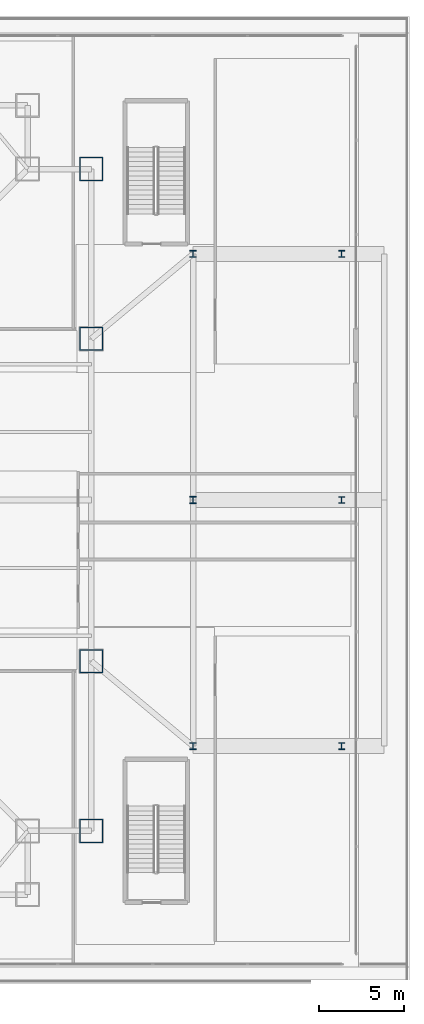
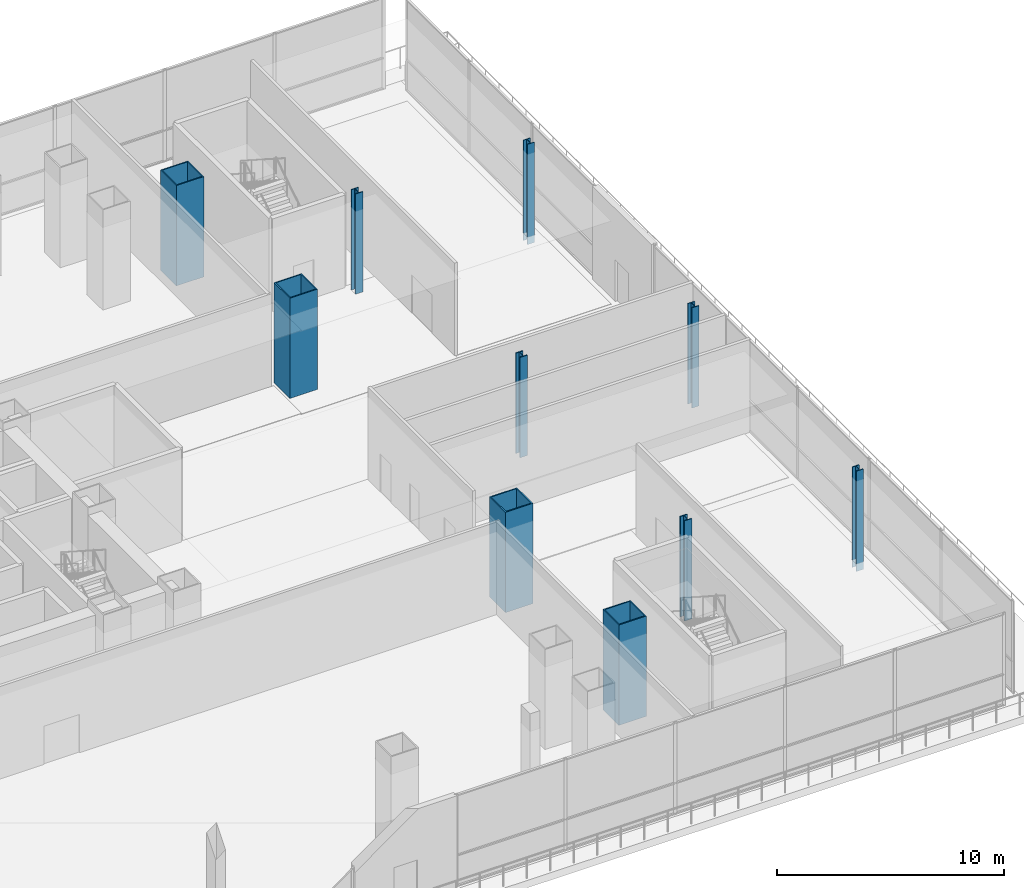
# One storey, part 3 of 36: 10 columns.
"""IFC4 building model written with IfcOpenShell, lengths in metres."""

from ifc_helpers import new_model, si_unit, direction, frame, origin, origin_2d, place, context, subcontext, project, spatial, hollow_rectangle, i_section, extrude, material, material_profile, profile_set, type_object, element, save


model = new_model("IFC4")

# Units and contexts
model_context = context("Model", 3, precision=1e-05, world=origin(), true_north=direction((0.0, 1.0)))
body_context = subcontext(model_context, "Body", "Model", "MODEL_VIEW")
ifc_project = project(units=[si_unit("LENGTHUNIT", "METRE"), si_unit("AREAUNIT", "SQUARE_METRE"), si_unit("VOLUMEUNIT", "CUBIC_METRE"), si_unit("PLANEANGLEUNIT", "RADIAN"), si_unit("MASSUNIT", "GRAM", prefix="KILO")], contexts=[model_context])

# Site, building, storey
site_placement = place(None, origin())
site = spatial("IfcSite", under=ifc_project, at=site_placement, CompositionType="ELEMENT")
building_placement = place(site_placement, origin())
building = spatial("IfcBuilding", under=site, at=building_placement, Name="Trevonay Congress Spire", CompositionType="ELEMENT")
storey_placement = place(building_placement, frame((0.0, 0.0, 5.39990234375)))
storey = spatial("IfcBuildingStorey", under=building, at=storey_placement, Name="L01", CompositionType="ELEMENT", Elevation=5.39990234375)

# Columns
ifc_material = material(Name="Steel ASTM A572 Grade 50", Category="steel")
ifc_material_profile_1 = material_profile(ifc_material, hollow_rectangle(XDim=1.39990234375, YDim=1.39990234375, WallThickness=0.06005859375, at=origin_2d()), Name="BOX 1400x1400x60")
ifc_profile_set_1 = profile_set([ifc_material_profile_1], Name="Steel ASTM A572 Grade 50")
column_type_1 = type_object("IfcColumnType", Name="COL-CORE-BOX1400", PredefinedType="COLUMN", material=ifc_profile_set_1)
for number, where, z_axis, x_axis, name in (
    (1, (23.25, -19.5, 0.0), (0.0, 0.0, 1.0), (1.0, 0.0, 0.0), "L01 column C01 at TM-E1"),
    (2, (23.25, -9.5, 0.0), (0.0, 0.0, 1.0), (1.0, 0.0, 0.0), "L01 column C01 at TM-E2"),
    (3, (23.25, 9.5, 0.0), (0.0, 0.0, 1.0), (1.0, 0.0, 0.0), "L01 column C01 at TM-E5"),
    (4, (23.25, 19.5, 0.0), (0.0, 0.0, 1.0), (1.0, 0.0, 0.0), "L01 column C01 at TM-E6"),
):
    element("IfcColumn", number, at=place(storey_placement, frame(where, z_axis=z_axis, x_axis=x_axis)), inside=storey, type_object=column_type_1, Name=name, PredefinedType="COLUMN", context=body_context, shape_type="SweptSolid", body=[
        extrude(hollow_rectangle(XDim=1.39990234375, YDim=1.39990234375, WallThickness=0.06005859375, at=origin_2d()), origin(), (0.0, 0.0, 1.0), 5.400146484375),
    ])
ifc_material_profile_2 = material_profile(ifc_material, i_section(OverallWidth=0.367919921875, OverallDepth=0.425048828125, WebThickness=0.02978515625, FlangeThickness=0.047607421875, FilletRadius=0.02001953125, at=origin_2d()), Name="W360x421")
ifc_profile_set_2 = profile_set([ifc_material_profile_2], Name="Steel ASTM A572 Grade 50")
column_type_2 = type_object("IfcColumnType", Name="COL-POD-W360X421", PredefinedType="COLUMN", material=ifc_profile_set_2)
for number, where, z_axis, x_axis, name in (
    (5, (29.25, -14.5, 0.0), (0.0, 0.0, 1.0), (1.0, 0.0, 0.0), "L01 column C08 at PE-1"),
    (6, (29.25, 0.0, 0.0), (0.0, 0.0, 1.0), (1.0, 0.0, 0.0), "L01 column C08 at PE-2"),
    (7, (29.25, 14.5, 0.0), (0.0, 0.0, 1.0), (1.0, 0.0, 0.0), "L01 column C08 at PE-3"),
):
    element("IfcColumn", number, at=place(storey_placement, frame(where, z_axis=z_axis, x_axis=x_axis)), inside=storey, type_object=column_type_2, Name=name, PredefinedType="COLUMN", context=body_context, shape_type="SweptSolid", body=[
        extrude(i_section(OverallWidth=0.367919921875, OverallDepth=0.425048828125, WebThickness=0.02978515625, FlangeThickness=0.047607421875, FilletRadius=0.02001953125, at=origin_2d()), origin(), (0.0, 0.0, 1.0), 5.400146484375),
    ])
ifc_material_profile_3 = material_profile(ifc_material, i_section(OverallWidth=0.35205078125, OverallDepth=0.406982421875, WebThickness=0.024658203125, FlangeThickness=0.039794921875, FilletRadius=0.02001953125, at=origin_2d()), Name="W360x347")
ifc_profile_set_3 = profile_set([ifc_material_profile_3], Name="Steel ASTM A572 Grade 50")
column_type_3 = type_object("IfcColumnType", Name="COL-STEP-W360X347", PredefinedType="COLUMN", material=ifc_profile_set_3)
for number, where, z_axis, x_axis, name in (
    (8, (38.0, -14.5, -0.39990234375), (0.0, 0.0, 1.0), (1.0, 0.0, 0.0), "L01 column C09 at SE-1"),
    (9, (38.0, 0.0, -0.39990234375), (0.0, 0.0, 1.0), (1.0, 0.0, 0.0), "L01 column C09 at SE-2"),
    (10, (38.0, 14.5, -0.39990234375), (0.0, 0.0, 1.0), (1.0, 0.0, 0.0), "L01 column C09 at SE-3"),
):
    element("IfcColumn", number, at=place(storey_placement, frame(where, z_axis=z_axis, x_axis=x_axis)), inside=storey, type_object=column_type_3, Name=name, PredefinedType="COLUMN", context=body_context, shape_type="SweptSolid", body=[
        extrude(i_section(OverallWidth=0.35205078125, OverallDepth=0.406982421875, WebThickness=0.024658203125, FlangeThickness=0.039794921875, FilletRadius=0.02001953125, at=origin_2d()), origin(), (0.0, 0.0, 1.0), 5.39990234375),
    ])

save(model, "model.ifc")
